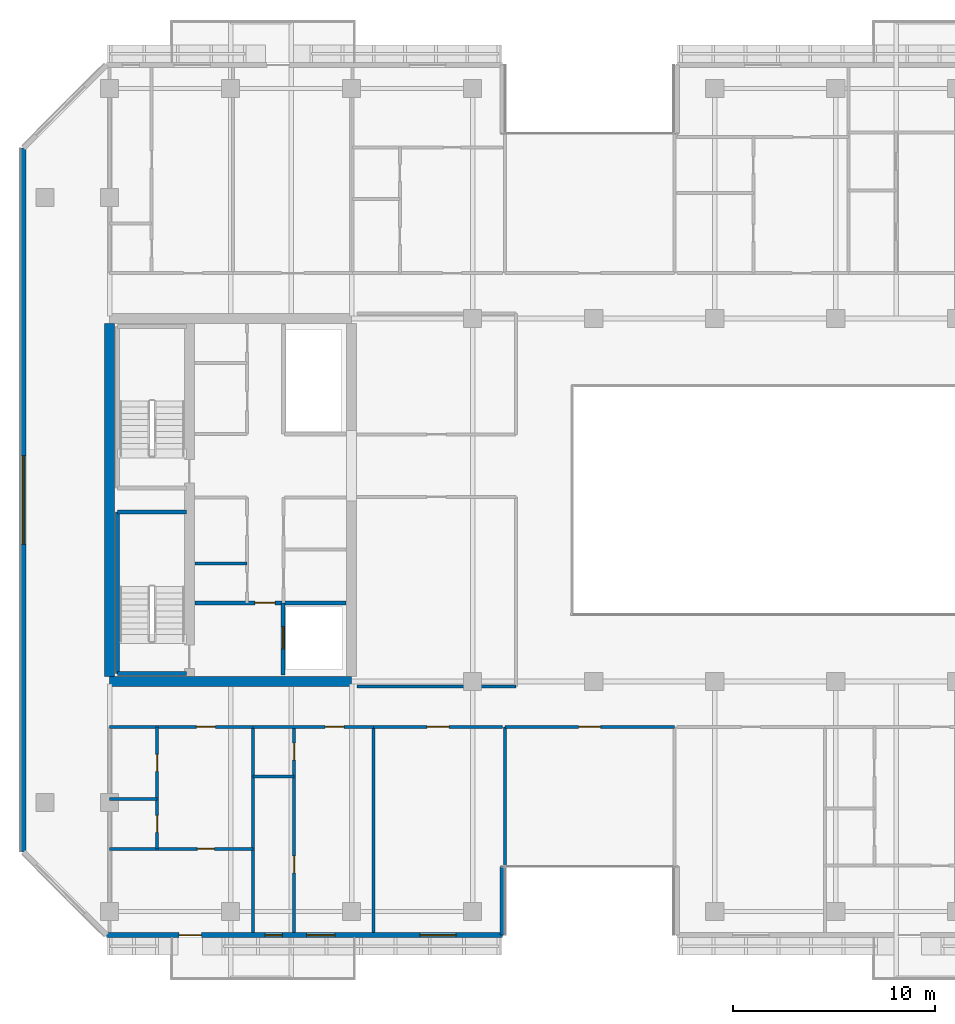
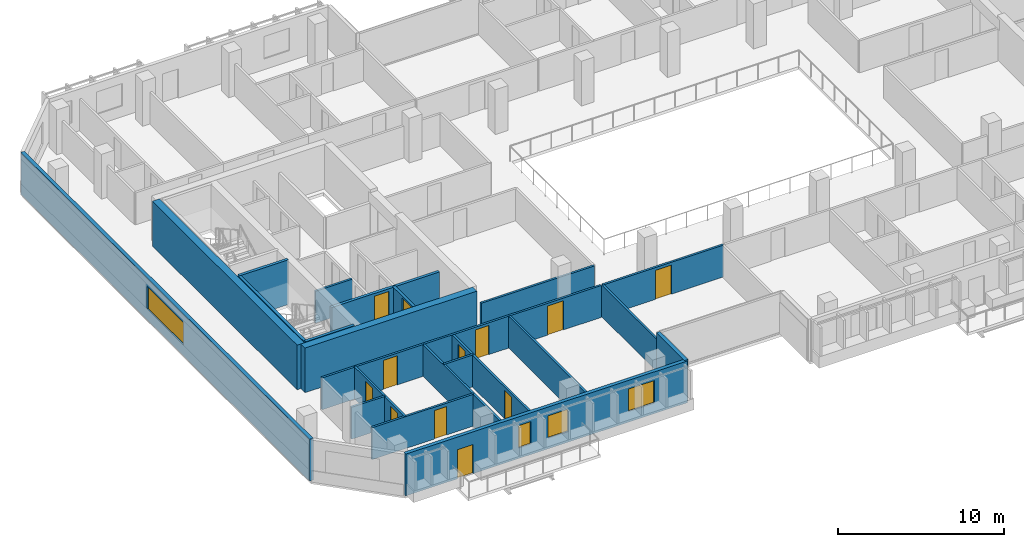
# One storey, part 9 of 20: 24 walls, 12 doors, 4 windows, 16 openings.
"""IFC4 building model written with IfcOpenShell, lengths in metres."""

from ifc_helpers import new_model, si_unit, direction, frame, frame_2d, origin, place, context, subcontext, project, spatial, rectangle, extrude, material, layer, layer_set, type_object, element, fill, save


model = new_model("IFC4")

# Units and contexts
model_context = context("Model", 3, precision=1e-05, world=origin(), true_north=direction((0.0, 1.0)))
body_context = subcontext(model_context, "Body", "Model", "MODEL_VIEW")
ifc_project = project(units=[si_unit("LENGTHUNIT", "METRE"), si_unit("AREAUNIT", "SQUARE_METRE"), si_unit("VOLUMEUNIT", "CUBIC_METRE"), si_unit("PLANEANGLEUNIT", "RADIAN"), si_unit("MASSUNIT", "GRAM", prefix="KILO")], contexts=[model_context])

# Site, building, storey
site_placement = place(None, origin())
site = spatial("IfcSite", under=ifc_project, at=site_placement, CompositionType="ELEMENT")
building_placement = place(site_placement, origin())
building = spatial("IfcBuilding", under=site, at=building_placement, Name="Tanjung Sevakor Pilgrim Tower", CompositionType="ELEMENT")
storey_placement = place(building_placement, frame((0.0, 0.0, 141.89990234375)))
storey = spatial("IfcBuildingStorey", under=building, at=storey_placement, Name="L39", CompositionType="ELEMENT", Elevation=141.89990234375)

# Walls
ifc_material_1 = material(Name="Concrete C60/75", Category="concrete")
ifc_layer_1 = layer(ifc_material_1, 0.5)
ifc_layer_set_1 = layer_set([ifc_layer_1], Name="WALL-CW-500")
wall_type_1 = type_object("IfcWallType", Name="WALL-CW-500", PredefinedType="SHEAR", material=ifc_layer_set_1)
wall_1_placement = place(storey_placement, frame((24.0, 24.60009765625, 0.0), z_axis=(0.0, 0.0, 1.0), x_axis=(1.0, 0.0, 0.0)))
element("IfcWall", 1, at=wall_1_placement, inside=storey, type_object=wall_type_1, Name="L39 W Core South Shear Wall", PredefinedType="SHEAR", context=body_context, shape_type="SweptSolid", body=[
    extrude(rectangle(XDim=12.0, YDim=0.5, at=frame_2d((6.0, 0.0))), origin(), (0.0, 0.0, 1.0), 3.300048828125),
])
wall_2_placement = place(storey_placement, frame((24.0, 24.85009765625, 0.0), z_axis=(0.0, 0.0, 1.0), x_axis=(0.0, 1.0, 0.0)))
element("IfcWall", 2, at=wall_2_placement, inside=storey, type_object=wall_type_1, Name="L39 W Core Outer Shear Wall", PredefinedType="SHEAR", context=body_context, shape_type="SweptSolid", body=[
    extrude(rectangle(XDim=17.5, YDim=0.5, at=frame_2d((8.75, 0.0))), origin(), (0.0, 0.0, 1.0), 3.300048828125),
])
ifc_material_2 = material(Name="Concrete C40/50", Category="concrete")
ifc_layer_2 = layer(ifc_material_2, 0.14990234375)
ifc_layer_set_2 = layer_set([ifc_layer_2], Name="WT-COMP-150")
wall_type_2 = type_object("IfcWallType", Name="WT-COMP-150", PredefinedType="SOLIDWALL", material=ifc_layer_set_2)
wall_3_placement = place(storey_placement, frame((28.219970703125, 30.449951171875, 0.0), z_axis=(0.0, 0.0, 1.0), x_axis=(1.0, 0.0, 0.0)))
element("IfcWall", 3, at=wall_3_placement, inside=storey, type_object=wall_type_2, Name="L39 Partition IW-L39-003", PredefinedType="SOLIDWALL", context=body_context, shape_type="SweptSolid", body=[
    extrude(rectangle(XDim=2.580078125, YDim=0.14990234375, at=frame_2d((1.2900390625, 0.0))), origin(), (0.0, 0.0, 1.0), 2.35009765625),
])
wall_4_placement = place(storey_placement, frame((36.27001953125, 24.35009765625, 0.0), z_axis=(0.0, 0.0, 1.0), x_axis=(1.0, 0.0, 0.0)))
element("IfcWall", 4, at=wall_4_placement, inside=storey, type_object=wall_type_2, Name="L39 Partition IW-L39-027", PredefinedType="SOLIDWALL", context=body_context, shape_type="SweptSolid", body=[
    extrude(rectangle(XDim=7.8798828125, YDim=0.14990234375, at=frame_2d((3.93994140625, 0.0))), origin(), (0.0, 0.0, 1.0), 2.35009765625),
])

# Wall, opening, door
wall_5_placement = place(storey_placement, frame((43.60009765625, 22.35009765625, 0.0), z_axis=(0.0, 0.0, 1.0), x_axis=(1.0, 0.0, 0.0)))
wall_5 = element("IfcWall", 5, at=wall_5_placement, inside=storey, type_object=wall_type_2, Name="L39 Partition IW-L39-039", PredefinedType="SOLIDWALL", context=body_context, shape_type="SweptSolid", body=[
    extrude(rectangle(XDim=8.39990234375, YDim=0.14990234375, at=frame_2d((4.199951171875, 0.0))), origin(), (0.0, 0.0, 1.0), 2.35009765625),
])
opening_1_placement = place(wall_5_placement, frame((3.64990234375, 0.0, 0.0)))
opening_1 = element("IfcOpeningElement", 6, at=opening_1_placement, cuts=wall_5, Name="Opening ID-RM2", PredefinedType="OPENING", context=body_context, shape_type="SweptSolid", body=[
    extrude(rectangle(XDim=1.10009765625, YDim=2.14990234375, at=frame_2d((0.550048828125, 1.074951171875))), frame((0.0, 0.0849609375, 0.0), z_axis=(0.0, -1.0, 0.0), x_axis=(1.0, 0.0, 0.0)), (0.0, 0.0, 1.0), 0.169921875),
])
ifc_material_3 = material(Name="Hardwood Timber", Category="wood")
door_type_1 = type_object("IfcDoorType", Name="DT-INT-1100", OperationType="NOTDEFINED", PredefinedType="DOOR", material=ifc_material_3)
door_1_placement = place(opening_1_placement, origin())
door_1 = element("IfcDoor", 7, at=door_1_placement, inside=storey, type_object=door_type_1, Name="L39 South Cleft Communal Lounge Door", OperationType="SINGLE_SWING_RIGHT", OverallHeight=2.14990234375, OverallWidth=1.10009765625, PredefinedType="DOOR", context=body_context, shape_type="SweptSolid", body=[
    extrude(rectangle(XDim=1.10009765625, YDim=2.14990234375, at=frame_2d((0.550048828125, 1.074951171875))), frame((0.0, 0.02490234375, 0.0), z_axis=(0.0, -1.0, 0.0), x_axis=(1.0, 0.0, 0.0)), (0.0, 0.0, 1.0), 0.050048828125),
])
fill(opening_1, door_1)

# Walls
for number, where, z_axis, x_axis, name in (
    (8, (43.60009765625, 12.14990234375, 0.0), (0.0, 0.0, 1.0), (0.0, 1.0, 0.0), "L39 Partition IW-L39-040"),
    (9, (31.11181640625, 12.14990234375, 0.0), (0.0, 0.0, 1.0), (0.0, 1.0, 0.0), "L39 Partition IW-L39-046"),
):
    element("IfcWall", number, at=place(storey_placement, frame(where, z_axis=z_axis, x_axis=x_axis)), inside=storey, type_object=wall_type_2, Name=name, PredefinedType="SOLIDWALL", context=body_context, shape_type="SweptSolid", body=[
        extrude(rectangle(XDim=10.2001953125, YDim=0.14990234375, at=frame_2d((5.10009765625, 0.0))), origin(), (0.0, 0.0, 1.0), 2.35009765625),
    ])

# Wall, opening, door
wall_6_placement = place(storey_placement, frame((24.0, 22.35009765625, 0.0), z_axis=(0.0, 0.0, 1.0), x_axis=(1.0, 0.0, 0.0)))
wall_6 = element("IfcWall", 10, at=wall_6_placement, inside=storey, type_object=wall_type_2, Name="L39 Partition IW-L39-050", PredefinedType="SOLIDWALL", context=body_context, shape_type="SweptSolid", body=[
    extrude(rectangle(XDim=7.11181640625, YDim=0.14990234375, at=frame_2d((3.555908203125, 0.0))), origin(), (0.0, 0.0, 1.0), 2.35009765625),
])
opening_2_placement = place(wall_6_placement, frame((4.2958984375, 0.0, 0.0)))
opening_2 = element("IfcOpeningElement", 11, at=opening_2_placement, cuts=wall_6, Name="Opening ID-FD2", PredefinedType="OPENING", context=body_context, shape_type="SweptSolid", body=[
    extrude(rectangle(XDim=0.949951171875, YDim=2.14990234375, at=frame_2d((0.47509765625, 1.074951171875))), frame((0.0, 0.0849609375, 0.0), z_axis=(0.0, -1.0, 0.0), x_axis=(1.0, 0.0, 0.0)), (0.0, 0.0, 1.0), 0.169921875),
])
ifc_material_4 = material(Name="Fire-Rated Timber", Category="wood")
door_type_2 = type_object("IfcDoorType", Name="DT-FIRE-950", OperationType="NOTDEFINED", PredefinedType="DOOR", material=ifc_material_4)
door_2_placement = place(opening_2_placement, origin())
door_2 = element("IfcDoor", 12, at=door_2_placement, inside=storey, type_object=door_type_2, Name="Residence Entrance", OperationType="SINGLE_SWING_LEFT", OverallHeight=2.14990234375, OverallWidth=0.949951171875, PredefinedType="DOOR", context=body_context, shape_type="SweptSolid", body=[
    extrude(rectangle(XDim=0.949951171875, YDim=2.14990234375, at=frame_2d((0.47509765625, 1.074951171875))), frame((0.0, 0.02490234375, 0.0), z_axis=(0.0, -1.0, 0.0), x_axis=(1.0, 0.0, 0.0)), (0.0, 0.0, 1.0), 0.050048828125),
])
fill(opening_2, door_2)

# Wall
wall_7_placement = place(storey_placement, frame((37.089599609375, 12.14990234375, 0.0), z_axis=(0.0, 0.0, 1.0), x_axis=(0.0, 1.0, 0.0)))
element("IfcWall", 13, at=wall_7_placement, inside=storey, type_object=wall_type_2, Name="L39 Partition IW-L39-051", PredefinedType="SOLIDWALL", context=body_context, shape_type="SweptSolid", body=[
    extrude(rectangle(XDim=10.2001953125, YDim=0.14990234375, at=frame_2d((5.10009765625, 0.0))), origin(), (0.0, 0.0, 1.0), 2.35009765625),
])

# Wall, opening, door
wall_8_placement = place(storey_placement, frame((31.11181640625, 22.35009765625, 0.0), z_axis=(0.0, 0.0, 1.0), x_axis=(1.0, 0.0, 0.0)))
wall_8 = element("IfcWall", 14, at=wall_8_placement, inside=storey, type_object=wall_type_2, Name="L39 Partition IW-L39-054", PredefinedType="SOLIDWALL", context=body_context, shape_type="SweptSolid", body=[
    extrude(rectangle(XDim=5.977783203125, YDim=0.14990234375, at=frame_2d((2.98876953125, 0.0))), origin(), (0.0, 0.0, 1.0), 2.35009765625),
])
opening_3_placement = place(wall_8_placement, frame((3.5703125, 0.0, 0.0)))
opening_3 = element("IfcOpeningElement", 15, at=opening_3_placement, cuts=wall_8, Name="Opening ID-FD2", PredefinedType="OPENING", context=body_context, shape_type="SweptSolid", body=[
    extrude(rectangle(XDim=0.949951171875, YDim=2.14990234375, at=frame_2d((0.47509765625, 1.074951171875))), frame((0.0, 0.0849609375, 0.0), z_axis=(0.0, -1.0, 0.0), x_axis=(1.0, 0.0, 0.0)), (0.0, 0.0, 1.0), 0.169921875),
])
door_3_placement = place(opening_3_placement, origin())
door_3 = element("IfcDoor", 16, at=door_3_placement, inside=storey, type_object=door_type_2, Name="Hotel Guestroom Entrance", OperationType="SINGLE_SWING_RIGHT", OverallHeight=2.14990234375, OverallWidth=0.949951171875, PredefinedType="DOOR", context=body_context, shape_type="SweptSolid", body=[
    extrude(rectangle(XDim=0.949951171875, YDim=2.14990234375, at=frame_2d((0.47509765625, 1.074951171875))), frame((0.0, 0.02490234375, 0.0), z_axis=(0.0, -1.0, 0.0), x_axis=(1.0, 0.0, 0.0)), (0.0, 0.0, 1.0), 0.050048828125),
])
fill(opening_3, door_3)

wall_9_placement = place(storey_placement, frame((37.089599609375, 22.35009765625, 0.0), z_axis=(0.0, 0.0, 1.0), x_axis=(1.0, 0.0, 0.0)))
wall_9 = element("IfcWall", 17, at=wall_9_placement, inside=storey, type_object=wall_type_2, Name="L39 Partition IW-L39-055", PredefinedType="SOLIDWALL", context=body_context, shape_type="SweptSolid", body=[
    extrude(rectangle(XDim=6.390380859375, YDim=0.14990234375, at=frame_2d((3.1953125, 0.0))), origin(), (0.0, 0.0, 1.0), 2.35009765625),
])
opening_4_placement = place(wall_9_placement, frame((2.64501953125, 0.0, 0.0)))
opening_4 = element("IfcOpeningElement", 18, at=opening_4_placement, cuts=wall_9, Name="Opening ID-FD0", PredefinedType="OPENING", context=body_context, shape_type="SweptSolid", body=[
    extrude(rectangle(XDim=1.10009765625, YDim=2.14990234375, at=frame_2d((0.550048828125, 1.074951171875))), frame((0.0, 0.0849609375, 0.0), z_axis=(0.0, -1.0, 0.0), x_axis=(1.0, 0.0, 0.0)), (0.0, 0.0, 1.0), 0.169921875),
])
ifc_material_5 = material(Name="Fire-Rated Steel S355J2", Category="steel")
door_type_3 = type_object("IfcDoorType", Name="DT-FIRE-1100", OperationType="NOTDEFINED", PredefinedType="DOOR", material=ifc_material_5)
door_4_placement = place(opening_4_placement, origin())
door_4 = element("IfcDoor", 19, at=door_4_placement, inside=storey, type_object=door_type_3, Name="Communal Lounge Door", OperationType="SINGLE_SWING_LEFT", OverallHeight=2.14990234375, OverallWidth=1.10009765625, PredefinedType="DOOR", context=body_context, shape_type="SweptSolid", body=[
    extrude(rectangle(XDim=1.10009765625, YDim=2.14990234375, at=frame_2d((0.550048828125, 1.074951171875))), frame((0.0, 0.02490234375, 0.0), z_axis=(0.0, -1.0, 0.0), x_axis=(1.0, 0.0, 0.0)), (0.0, 0.0, 1.0), 0.050048828125),
])
fill(opening_4, door_4)

# Wall, openings, door, windows
ifc_material_6 = material(Name="Precast concrete C45/55", Category="concrete")
ifc_layer_3 = layer(ifc_material_6, 0.25)
ifc_layer_set_3 = layer_set([ifc_layer_3], Name="WT-EW-STN3")
wall_type_3 = type_object("IfcWallType", Name="WT-EW-STN3", PredefinedType="SOLIDWALL", material=ifc_layer_set_3)
wall_10_placement = place(storey_placement, frame((23.851806640625, 12.02490234375, 0.0), z_axis=(0.0, 0.0, 1.0), x_axis=(1.0, 0.0, 0.0)))
wall_10 = element("IfcWall", 20, at=wall_10_placement, inside=storey, type_object=wall_type_3, Name="L39 MAIN Exterior Wall 1", PredefinedType="SOLIDWALL", context=body_context, shape_type="SweptSolid", body=[
    extrude(rectangle(XDim=19.623291015625, YDim=0.25, at=frame_2d((9.8115234375, 0.0))), origin(), (0.0, 0.0, 1.0), 3.080078125),
])
opening_5_placement = place(wall_10_placement, frame((3.59814453125, 0.0, 0.0)))
opening_5 = element("IfcOpeningElement", 21, at=opening_5_placement, cuts=wall_10, Name="Opening ED-BAL-1100", PredefinedType="OPENING", context=body_context, shape_type="SweptSolid", body=[
    extrude(rectangle(XDim=1.10009765625, YDim=2.14990234375, at=frame_2d((0.550048828125, 1.074951171875))), frame((0.0, 0.135009765625, 0.0), z_axis=(0.0, -1.0, 0.0), x_axis=(1.0, 0.0, 0.0)), (0.0, 0.0, 1.0), 0.27001953125),
])
opening_6_placement = place(wall_10_placement, frame((7.861083984375, 0.0, 0.780029296875)))
opening_6 = element("IfcOpeningElement", 22, at=opening_6_placement, cuts=wall_10, Name="Opening WN-SLM", PredefinedType="OPENING", context=body_context, shape_type="SweptSolid", body=[
    extrude(rectangle(XDim=0.85009765625, YDim=1.64990234375, at=frame_2d((0.425048828125, 0.824951171875))), frame((0.0, 0.135009765625, 0.0), z_axis=(0.0, -1.0, 0.0), x_axis=(1.0, 0.0, 0.0)), (0.0, 0.0, 1.0), 0.27001953125),
])
opening_7_placement = place(wall_10_placement, frame((9.915283203125, 0.0, 0.780029296875)))
opening_7 = element("IfcOpeningElement", 23, at=opening_7_placement, cuts=wall_10, Name="Opening WN-END", PredefinedType="OPENING", context=body_context, shape_type="SweptSolid", body=[
    extrude(rectangle(XDim=1.39990234375, YDim=1.64990234375, at=frame_2d((0.699951171875, 0.824951171875))), frame((0.0, 0.135009765625, 0.0), z_axis=(0.0, -1.0, 0.0), x_axis=(1.0, 0.0, 0.0)), (0.0, 0.0, 1.0), 0.27001953125),
])
opening_8_placement = place(wall_10_placement, frame((15.532958984375, 0.0, 0.780029296875)))
opening_8 = element("IfcOpeningElement", 24, at=opening_8_placement, cuts=wall_10, Name="Opening WN-Z3-1660", PredefinedType="OPENING", context=body_context, shape_type="SweptSolid", body=[
    extrude(rectangle(XDim=1.800048828125, YDim=1.659912109375, at=frame_2d((0.89990234375, 0.830078125))), frame((0.0, 0.135009765625, 0.0), z_axis=(0.0, -1.0, 0.0), x_axis=(1.0, 0.0, 0.0)), (0.0, 0.0, 1.0), 0.27001953125),
])
ifc_material_7 = material(Name="Anodised Aluminium and Laminated Glass", Category="aluminium")
door_type_4 = type_object("IfcDoorType", Name="DTYP-ED-BAL-1100", OperationType="NOTDEFINED", PredefinedType="DOOR", material=ifc_material_7)
door_5_placement = place(opening_5_placement, frame((1.10009765625, 0.0, 0.0), z_axis=(0.0, 0.0, 1.0), x_axis=(-1.0, 0.0, 0.0)))
door_5 = element("IfcDoor", 25, at=door_5_placement, inside=storey, type_object=door_type_4, Name="L39 Balcony Door MAIN-S1", OperationType="SINGLE_SWING_RIGHT", OverallHeight=2.14990234375, OverallWidth=1.10009765625, PredefinedType="DOOR", context=body_context, shape_type="SweptSolid", body=[
    extrude(rectangle(XDim=1.10009765625, YDim=2.14990234375, at=frame_2d((0.550048828125, 1.074951171875))), frame((0.0, 0.02490234375, 0.0), z_axis=(0.0, -1.0, 0.0), x_axis=(1.0, 0.0, 0.0)), (0.0, 0.0, 1.0), 0.050048828125),
])
fill(opening_5, door_5)
ifc_material_8 = material(Name="Thermally Broken Aluminium and Low-E Glass", Category="aluminium")
window_type_1 = type_object("IfcWindowType", Name="WTYP-WN-END", PartitioningType="SINGLE_PANEL", PredefinedType="WINDOW", material=ifc_material_8)
window_1_placement = place(opening_7_placement, origin())
window_1 = element("IfcWindow", 26, at=window_1_placement, inside=storey, type_object=window_type_1, Name="L39 Facade Window 02", OverallHeight=1.64990234375, OverallWidth=1.39990234375, PartitioningType="SINGLE_PANEL", PredefinedType="WINDOW", context=body_context, shape_type="SweptSolid", body=[
    extrude(rectangle(XDim=1.39990234375, YDim=1.64990234375, at=frame_2d((0.699951171875, 0.824951171875))), frame((0.0, 0.030029296875, 0.0), z_axis=(0.0, -1.0, 0.0), x_axis=(1.0, 0.0, 0.0)), (0.0, 0.0, 1.0), 0.06005859375),
])
fill(opening_7, window_1)
ifc_material_9 = material(Name="Thermally Broken Aluminium and Low-E Glass", Category="aluminium")
window_type_2 = type_object("IfcWindowType", Name="WTYP-WN-SLM", PartitioningType="SINGLE_PANEL", PredefinedType="WINDOW", material=ifc_material_9)
window_2_placement = place(opening_6_placement, origin())
window_2 = element("IfcWindow", 27, at=window_2_placement, inside=storey, type_object=window_type_2, Name="L39 Facade Window 01", OverallHeight=1.64990234375, OverallWidth=0.85009765625, PartitioningType="SINGLE_PANEL", PredefinedType="WINDOW", context=body_context, shape_type="SweptSolid", body=[
    extrude(rectangle(XDim=0.85009765625, YDim=1.64990234375, at=frame_2d((0.425048828125, 0.824951171875))), frame((0.0, 0.030029296875, 0.0), z_axis=(0.0, -1.0, 0.0), x_axis=(1.0, 0.0, 0.0)), (0.0, 0.0, 1.0), 0.06005859375),
])
fill(opening_6, window_2)
ifc_material_10 = material(Name="Thermally Broken Aluminium and Low-E Glass", Category="aluminium")
window_type_3 = type_object("IfcWindowType", Name="WTYP-WN-Z3-1660", PartitioningType="DOUBLE_PANEL_VERTICAL", PredefinedType="WINDOW", material=ifc_material_10)
window_3_placement = place(opening_8_placement, origin())
window_3 = element("IfcWindow", 28, at=window_3_placement, inside=storey, type_object=window_type_3, Name="L39 Facade Window 03", OverallHeight=1.659912109375, OverallWidth=1.800048828125, PartitioningType="SINGLE_PANEL", PredefinedType="WINDOW", context=body_context, shape_type="SweptSolid", body=[
    extrude(rectangle(XDim=1.800048828125, YDim=1.659912109375, at=frame_2d((0.89990234375, 0.830078125))), frame((0.0, 0.030029296875, 0.0), z_axis=(0.0, -1.0, 0.0), x_axis=(1.0, 0.0, 0.0)), (0.0, 0.0, 1.0), 0.06005859375),
])
fill(opening_8, window_3)

# Wall
wall_11_placement = place(storey_placement, frame((43.47509765625, 12.02490234375, 0.0), z_axis=(0.0, 0.0, 1.0), x_axis=(0.0, 1.0, 0.0)))
element("IfcWall", 29, at=wall_11_placement, inside=storey, type_object=wall_type_3, Name="L39 MAIN Exterior Wall 2", PredefinedType="SOLIDWALL", context=body_context, shape_type="SweptSolid", body=[
    extrude(rectangle(XDim=3.400146484375, YDim=0.25, at=frame_2d((1.7001953125, 0.0))), origin(), (0.0, 0.0, 1.0), 3.080078125),
])

# Wall, opening, window
wall_12_placement = place(storey_placement, frame((19.72509765625, 51.048095703125, 0.0), z_axis=(0.0, 0.0, 1.0), x_axis=(0.0, -1.0, 0.0)))
wall_12 = element("IfcWall", 30, at=wall_12_placement, inside=storey, type_object=wall_type_3, Name="L39 MAIN Exterior Wall 15", PredefinedType="SOLIDWALL", context=body_context, shape_type="SweptSolid", body=[
    extrude(rectangle(XDim=34.896240234375, YDim=0.25, at=frame_2d((17.4482421875, 0.0))), origin(), (0.0, 0.0, 1.0), 3.080078125),
])
opening_9_placement = place(wall_12_placement, frame((15.248291015625, 0.0, 0.780029296875)))
opening_9 = element("IfcOpeningElement", 31, at=opening_9_placement, cuts=wall_12, Name="Opening WN-ENDW-1660", PredefinedType="OPENING", context=body_context, shape_type="SweptSolid", body=[
    extrude(rectangle(XDim=4.39990234375, YDim=1.659912109375, at=frame_2d((2.199951171875, 0.830078125))), frame((0.0, 0.135009765625, 0.0), z_axis=(0.0, -1.0, 0.0), x_axis=(1.0, 0.0, 0.0)), (0.0, 0.0, 1.0), 0.27001953125),
])
ifc_material_11 = material(Name="Thermally Broken Aluminium and Low-E Glass", Category="aluminium")
window_type_4 = type_object("IfcWindowType", Name="WTYP-WN-ENDW-1660", PartitioningType="DOUBLE_PANEL_VERTICAL", PredefinedType="WINDOW", material=ifc_material_11)
window_4_placement = place(opening_9_placement, origin())
window_4 = element("IfcWindow", 32, at=window_4_placement, inside=storey, type_object=window_type_4, Name="L39 Facade Window 01", OverallHeight=1.659912109375, OverallWidth=4.39990234375, PartitioningType="SINGLE_PANEL", PredefinedType="WINDOW", context=body_context, shape_type="SweptSolid", body=[
    extrude(rectangle(XDim=4.39990234375, YDim=1.659912109375, at=frame_2d((2.199951171875, 0.830078125))), frame((0.0, 0.030029296875, 0.0), z_axis=(0.0, -1.0, 0.0), x_axis=(1.0, 0.0, 0.0)), (0.0, 0.0, 1.0), 0.06005859375),
])
fill(opening_9, window_4)

# Walls
ifc_material_12 = material(Name="Concrete C40/50", Category="concrete")
ifc_layer_4 = layer(ifc_material_12, 0.199951171875)
ifc_layer_set_4 = layer_set([ifc_layer_4], Name="WT-FIRE-200")
wall_type_4 = type_object("IfcWallType", Name="WT-FIRE-200", PredefinedType="SOLIDWALL", material=ifc_layer_set_4)
for number, where, z_axis, x_axis, name in (
    (33, (24.39990234375, 25.0, 0.0), (0.0, 0.0, 1.0), (1.0, 0.0, 0.0), "L39 TS-W1 Shaft Wall 1"),
    (34, (27.800048828125, 33.0, 0.0), (0.0, 0.0, 1.0), (-1.0, 0.0, 0.0), "L39 TS-W1 Shaft Wall 2"),
):
    element("IfcWall", number, at=place(storey_placement, frame(where, z_axis=z_axis, x_axis=x_axis)), inside=storey, type_object=wall_type_4, Name=name, PredefinedType="SOLIDWALL", context=body_context, shape_type="SweptSolid", body=[
        extrude(rectangle(XDim=3.400146484375, YDim=0.199951171875, at=frame_2d((1.7001953125, 0.0))), origin(), (0.0, 0.0, 1.0), 3.300048828125),
    ])
wall_13_placement = place(storey_placement, frame((24.39990234375, 33.0, 0.0), z_axis=(0.0, 0.0, 1.0), x_axis=(0.0, -1.0, 0.0)))
element("IfcWall", 35, at=wall_13_placement, inside=storey, type_object=wall_type_4, Name="L39 TS-W1 Shaft Wall 3", PredefinedType="SOLIDWALL", context=body_context, shape_type="SweptSolid", body=[
    extrude(rectangle(XDim=8.0, YDim=0.199951171875, at=frame_2d((4.0, 0.0))), origin(), (0.0, 0.0, 1.0), 3.300048828125),
])

# Wall, opening, door
ifc_material_13 = material(Name="Concrete C40/50", Category="concrete")
ifc_layer_5 = layer(ifc_material_13, 0.199951171875)
ifc_layer_set_5 = layer_set([ifc_layer_5], Name="WT-FPRT-200")
wall_type_5 = type_object("IfcWallType", Name="WT-FPRT-200", PredefinedType="SOLIDWALL", material=ifc_layer_set_5)
wall_14_placement = place(storey_placement, frame((32.60009765625, 24.919921875, 0.0), z_axis=(0.0, 0.0, 1.0), x_axis=(0.0, 1.0, 0.0)))
wall_14 = element("IfcWall", 36, at=wall_14_placement, inside=storey, type_object=wall_type_5, Name="L39 Partition IW-L39-001", PredefinedType="SOLIDWALL", context=body_context, shape_type="SweptSolid", body=[
    extrude(rectangle(XDim=3.580078125, YDim=0.199951171875, at=frame_2d((1.7900390625, 0.0))), origin(), (0.0, 0.0, 1.0), 2.35009765625),
])
opening_10_placement = place(wall_14_placement, frame((1.300048828125, 0.0, 0.0)))
opening_10 = element("IfcOpeningElement", 37, at=opening_10_placement, cuts=wall_14, Name="Opening LD-1100", PredefinedType="OPENING", context=body_context, shape_type="SweptSolid", body=[
    extrude(rectangle(XDim=1.10009765625, YDim=2.199951171875, at=frame_2d((0.550048828125, 1.10009765625))), frame((0.0, 0.10986328125, 0.0), z_axis=(0.0, -1.0, 0.0), x_axis=(1.0, 0.0, 0.0)), (0.0, 0.0, 1.0), 0.219970703125),
])
ifc_material_14 = material(Name="Brushed Stainless Steel S355J2", Category="steel")
door_type_5 = type_object("IfcDoorType", Name="DT-LIFT-1100", OperationType="SLIDING_TO_LEFT", PredefinedType="DOOR", material=ifc_material_14)
door_6_placement = place(opening_10_placement, origin())
door_6 = element("IfcDoor", 38, at=door_6_placement, inside=storey, type_object=door_type_5, Name="LD-FL-W", OperationType="SLIDING_TO_LEFT", OverallHeight=2.199951171875, OverallWidth=1.10009765625, PredefinedType="DOOR", context=body_context, shape_type="SweptSolid", body=[
    extrude(rectangle(XDim=1.10009765625, YDim=2.199951171875, at=frame_2d((0.550048828125, 1.10009765625))), frame((0.0, 0.02490234375, 0.0), z_axis=(0.0, -1.0, 0.0), x_axis=(1.0, 0.0, 0.0)), (0.0, 0.0, 1.0), 0.050048828125),
])
fill(opening_10, door_6)

wall_15_placement = place(storey_placement, frame((28.219970703125, 28.5, 0.0), z_axis=(0.0, 0.0, 1.0), x_axis=(1.0, 0.0, 0.0)))
wall_15 = element("IfcWall", 39, at=wall_15_placement, inside=storey, type_object=wall_type_5, Name="L39 Partition IW-L39-002", PredefinedType="SOLIDWALL", context=body_context, shape_type="SweptSolid", body=[
    extrude(rectangle(XDim=7.510009765625, YDim=0.199951171875, at=frame_2d((3.7548828125, 0.0))), origin(), (0.0, 0.0, 1.0), 2.35009765625),
])
opening_11_placement = place(wall_15_placement, frame((2.97998046875, 0.0, 0.0)))
opening_11 = element("IfcOpeningElement", 40, at=opening_11_placement, cuts=wall_15, Name="Opening ID-FD1", PredefinedType="OPENING", context=body_context, shape_type="SweptSolid", body=[
    extrude(rectangle(XDim=1.0, YDim=2.14990234375, at=frame_2d((0.5, 1.074951171875))), frame((0.0, 0.10986328125, 0.0), z_axis=(0.0, -1.0, 0.0), x_axis=(1.0, 0.0, 0.0)), (0.0, 0.0, 1.0), 0.219970703125),
])
ifc_material_15 = material(Name="Fire-Rated Steel S355J2", Category="steel")
door_type_6 = type_object("IfcDoorType", Name="DT-FIRE-1000", OperationType="NOTDEFINED", PredefinedType="DOOR", material=ifc_material_15)
door_7_placement = place(opening_11_placement, origin())
door_7 = element("IfcDoor", 41, at=door_7_placement, inside=storey, type_object=door_type_6, Name="Fire Lobby Door W", OperationType="SINGLE_SWING_LEFT", OverallHeight=2.14990234375, OverallWidth=1.0, PredefinedType="DOOR", context=body_context, shape_type="SweptSolid", body=[
    extrude(rectangle(XDim=1.0, YDim=2.14990234375, at=frame_2d((0.5, 1.074951171875))), frame((0.0, 0.02490234375, 0.0), z_axis=(0.0, -1.0, 0.0), x_axis=(1.0, 0.0, 0.0)), (0.0, 0.0, 1.0), 0.050048828125),
])
fill(opening_11, door_7)

# Wall
ifc_material_16 = material(Name="Gypsum Board Partition", Category="gypsum board")
ifc_layer_6 = layer(ifc_material_16, 0.14990234375)
ifc_layer_set_6 = layer_set([ifc_layer_6], Name="WT-PART-150")
wall_type_6 = type_object("IfcWallType", Name="WT-PART-150", PredefinedType="PARTITIONING", material=ifc_layer_set_6)
wall_16_placement = place(storey_placement, frame((24.0, 18.779296875, 0.0), z_axis=(0.0, 0.0, 1.0), x_axis=(1.0, 0.0, 0.0)))
element("IfcWall", 42, at=wall_16_placement, inside=storey, type_object=wall_type_6, Name="L39 Partition IW-L39-047", PredefinedType="PARTITIONING", context=body_context, shape_type="SweptSolid", body=[
    extrude(rectangle(XDim=2.35009765625, YDim=0.14990234375, at=frame_2d((1.175048828125, 0.0))), origin(), (0.0, 0.0, 1.0), 2.35009765625),
])

# Wall, openings, doors
wall_17_placement = place(storey_placement, frame((26.35009765625, 16.298095703125, 0.0), z_axis=(0.0, 0.0, 1.0), x_axis=(0.0, 1.0, 0.0)))
wall_17 = element("IfcWall", 43, at=wall_17_placement, inside=storey, type_object=wall_type_6, Name="L39 Partition IW-L39-048", PredefinedType="PARTITIONING", context=body_context, shape_type="SweptSolid", body=[
    extrude(rectangle(XDim=6.052001953125, YDim=0.14990234375, at=frame_2d((3.02587890625, 0.0))), origin(), (0.0, 0.0, 1.0), 2.35009765625),
])
opening_12_placement = place(wall_17_placement, frame((0.815673828125, 0.0, 0.0)))
opening_12 = element("IfcOpeningElement", 44, at=opening_12_placement, cuts=wall_17, Name="Opening ID-WC1", PredefinedType="OPENING", context=body_context, shape_type="SweptSolid", body=[
    extrude(rectangle(XDim=0.85009765625, YDim=2.10009765625, at=frame_2d((0.425048828125, 1.050048828125))), frame((0.0, 0.0849609375, 0.0), z_axis=(0.0, -1.0, 0.0), x_axis=(1.0, 0.0, 0.0)), (0.0, 0.0, 1.0), 0.169921875),
])
opening_13_placement = place(wall_17_placement, frame((3.841552734375, 0.0, 0.0)))
opening_13 = element("IfcOpeningElement", 45, at=opening_13_placement, cuts=wall_17, Name="Opening ID-WC1", PredefinedType="OPENING", context=body_context, shape_type="SweptSolid", body=[
    extrude(rectangle(XDim=0.85009765625, YDim=2.10009765625, at=frame_2d((0.425048828125, 1.050048828125))), frame((0.0, 0.0849609375, 0.0), z_axis=(0.0, -1.0, 0.0), x_axis=(1.0, 0.0, 0.0)), (0.0, 0.0, 1.0), 0.169921875),
])
ifc_material_17 = material(Name="Moisture-Resistant Timber", Category="wood")
door_type_7 = type_object("IfcDoorType", Name="DT-INT-850", OperationType="NOTDEFINED", PredefinedType="DOOR", material=ifc_material_17)
door_8_placement = place(opening_12_placement, origin())
door_8 = element("IfcDoor", 46, at=door_8_placement, inside=storey, type_object=door_type_7, Name="Residence Bathroom Door", OperationType="SINGLE_SWING_RIGHT", OverallHeight=2.10009765625, OverallWidth=0.85009765625, PredefinedType="DOOR", context=body_context, shape_type="SweptSolid", body=[
    extrude(rectangle(XDim=0.85009765625, YDim=2.10009765625, at=frame_2d((0.425048828125, 1.050048828125))), frame((0.0, 0.02490234375, 0.0), z_axis=(0.0, -1.0, 0.0), x_axis=(1.0, 0.0, 0.0)), (0.0, 0.0, 1.0), 0.050048828125),
])
fill(opening_12, door_8)
door_9_placement = place(opening_13_placement, origin())
door_9 = element("IfcDoor", 47, at=door_9_placement, inside=storey, type_object=door_type_7, Name="Residence Kitchenette Door", OperationType="SINGLE_SWING_LEFT", OverallHeight=2.10009765625, OverallWidth=0.85009765625, PredefinedType="DOOR", context=body_context, shape_type="SweptSolid", body=[
    extrude(rectangle(XDim=0.85009765625, YDim=2.10009765625, at=frame_2d((0.425048828125, 1.050048828125))), frame((0.0, 0.02490234375, 0.0), z_axis=(0.0, -1.0, 0.0), x_axis=(1.0, 0.0, 0.0)), (0.0, 0.0, 1.0), 0.050048828125),
])
fill(opening_13, door_9)

# Wall, opening, door
wall_18_placement = place(storey_placement, frame((24.0, 16.298095703125, 0.0), z_axis=(0.0, 0.0, 1.0), x_axis=(1.0, 0.0, 0.0)))
wall_18 = element("IfcWall", 48, at=wall_18_placement, inside=storey, type_object=wall_type_6, Name="L39 Partition IW-L39-049", PredefinedType="PARTITIONING", context=body_context, shape_type="SweptSolid", body=[
    extrude(rectangle(XDim=7.11181640625, YDim=0.14990234375, at=frame_2d((3.555908203125, 0.0))), origin(), (0.0, 0.0, 1.0), 2.35009765625),
])
opening_14_placement = place(wall_18_placement, frame((4.345947265625, 0.0, 0.0)))
opening_14 = element("IfcOpeningElement", 49, at=opening_14_placement, cuts=wall_18, Name="Opening ID-WC1", PredefinedType="OPENING", context=body_context, shape_type="SweptSolid", body=[
    extrude(rectangle(XDim=0.85009765625, YDim=2.10009765625, at=frame_2d((0.425048828125, 1.050048828125))), frame((0.0, 0.0849609375, 0.0), z_axis=(0.0, -1.0, 0.0), x_axis=(1.0, 0.0, 0.0)), (0.0, 0.0, 1.0), 0.169921875),
])
door_10_placement = place(opening_14_placement, origin())
door_10 = element("IfcDoor", 50, at=door_10_placement, inside=storey, type_object=door_type_7, Name="Residence Bedroom Door", OperationType="SINGLE_SWING_RIGHT", OverallHeight=2.10009765625, OverallWidth=0.85009765625, PredefinedType="DOOR", context=body_context, shape_type="SweptSolid", body=[
    extrude(rectangle(XDim=0.85009765625, YDim=2.10009765625, at=frame_2d((0.425048828125, 1.050048828125))), frame((0.0, 0.02490234375, 0.0), z_axis=(0.0, -1.0, 0.0), x_axis=(1.0, 0.0, 0.0)), (0.0, 0.0, 1.0), 0.050048828125),
])
fill(opening_14, door_10)

# Wall
wall_19_placement = place(storey_placement, frame((31.11181640625, 19.89990234375, 0.0), z_axis=(0.0, 0.0, 1.0), x_axis=(1.0, 0.0, 0.0)))
element("IfcWall", 51, at=wall_19_placement, inside=storey, type_object=wall_type_6, Name="L39 Partition IW-L39-052", PredefinedType="PARTITIONING", context=body_context, shape_type="SweptSolid", body=[
    extrude(rectangle(XDim=2.032470703125, YDim=0.14990234375, at=frame_2d((1.01611328125, 0.0))), origin(), (0.0, 0.0, 1.0), 2.35009765625),
])

# Wall, openings, doors
wall_20_placement = place(storey_placement, frame((33.144287109375, 12.14990234375, 0.0), z_axis=(0.0, 0.0, 1.0), x_axis=(0.0, 1.0, 0.0)))
wall_20 = element("IfcWall", 52, at=wall_20_placement, inside=storey, type_object=wall_type_6, Name="L39 Partition IW-L39-053", PredefinedType="PARTITIONING", context=body_context, shape_type="SweptSolid", body=[
    extrude(rectangle(XDim=10.2001953125, YDim=0.14990234375, at=frame_2d((5.10009765625, 0.0))), origin(), (0.0, 0.0, 1.0), 2.35009765625),
])
opening_15_placement = place(wall_20_placement, frame((2.9599609375, 0.0, 0.0)))
opening_15 = element("IfcOpeningElement", 53, at=opening_15_placement, cuts=wall_20, Name="Opening ID-WC1", PredefinedType="OPENING", context=body_context, shape_type="SweptSolid", body=[
    extrude(rectangle(XDim=0.85009765625, YDim=2.10009765625, at=frame_2d((0.425048828125, 1.050048828125))), frame((0.0, 0.0849609375, 0.0), z_axis=(0.0, -1.0, 0.0), x_axis=(1.0, 0.0, 0.0)), (0.0, 0.0, 1.0), 0.169921875),
])
opening_16_placement = place(wall_20_placement, frame((8.550048828125, 0.0, 0.0)))
opening_16 = element("IfcOpeningElement", 54, at=opening_16_placement, cuts=wall_20, Name="Opening ID-WC1", PredefinedType="OPENING", context=body_context, shape_type="SweptSolid", body=[
    extrude(rectangle(XDim=0.85009765625, YDim=2.10009765625, at=frame_2d((0.425048828125, 1.050048828125))), frame((0.0, 0.0849609375, 0.0), z_axis=(0.0, -1.0, 0.0), x_axis=(1.0, 0.0, 0.0)), (0.0, 0.0, 1.0), 0.169921875),
])
door_11_placement = place(opening_15_placement, origin())
door_11 = element("IfcDoor", 55, at=door_11_placement, inside=storey, type_object=door_type_7, Name="Study Nook Door", OperationType="SINGLE_SWING_RIGHT", OverallHeight=2.10009765625, OverallWidth=0.85009765625, PredefinedType="DOOR", context=body_context, shape_type="SweptSolid", body=[
    extrude(rectangle(XDim=0.85009765625, YDim=2.10009765625, at=frame_2d((0.425048828125, 1.050048828125))), frame((0.0, 0.02490234375, 0.0), z_axis=(0.0, -1.0, 0.0), x_axis=(1.0, 0.0, 0.0)), (0.0, 0.0, 1.0), 0.050048828125),
])
fill(opening_15, door_11)
door_12_placement = place(opening_16_placement, origin())
door_12 = element("IfcDoor", 56, at=door_12_placement, inside=storey, type_object=door_type_7, Name="Bathroom Door", OperationType="SINGLE_SWING_LEFT", OverallHeight=2.10009765625, OverallWidth=0.85009765625, PredefinedType="DOOR", context=body_context, shape_type="SweptSolid", body=[
    extrude(rectangle(XDim=0.85009765625, YDim=2.10009765625, at=frame_2d((0.425048828125, 1.050048828125))), frame((0.0, 0.02490234375, 0.0), z_axis=(0.0, -1.0, 0.0), x_axis=(1.0, 0.0, 0.0)), (0.0, 0.0, 1.0), 0.050048828125),
])
fill(opening_16, door_12)

save(model, "model.ifc")
